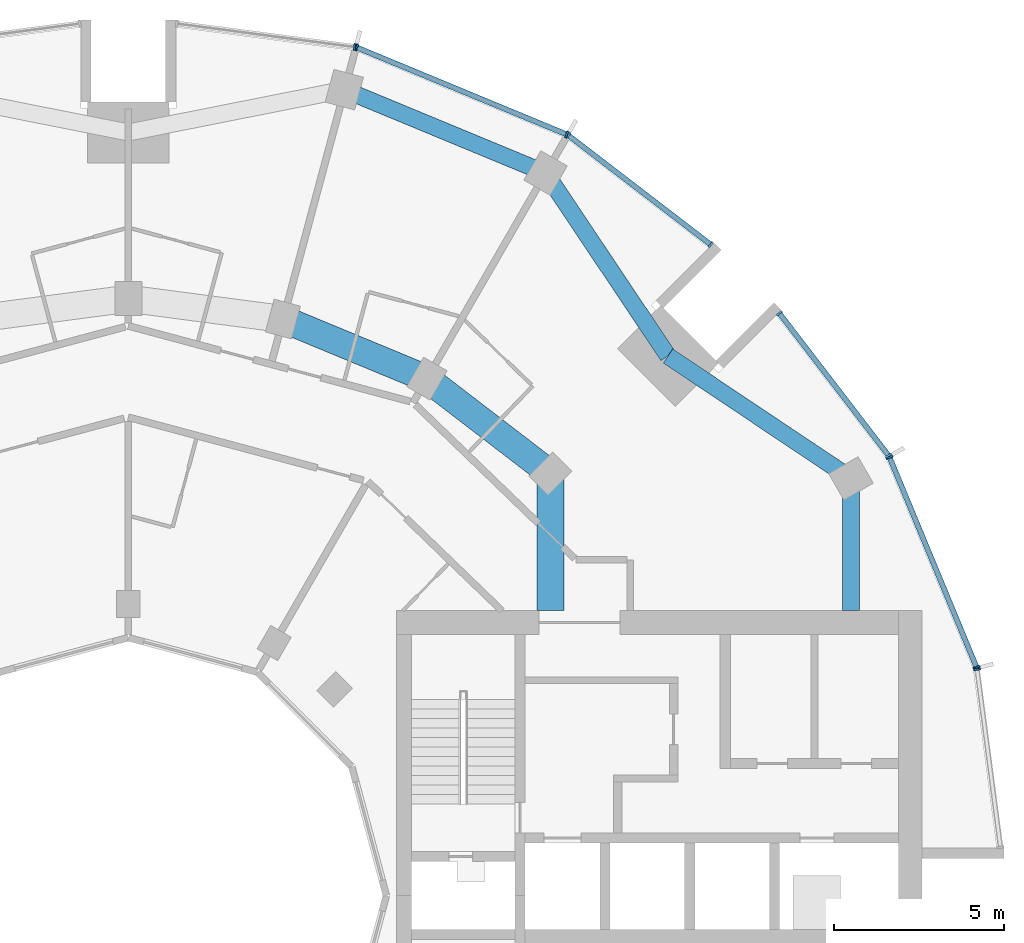
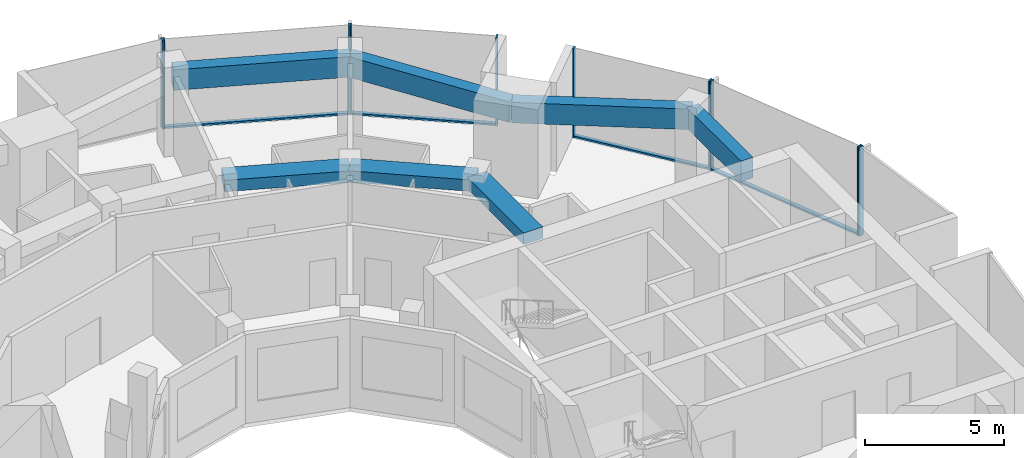
# One storey, part 6 of 15: 14 members, 7 beams, 6 elements without a shape of their own.
"""IFC4 building model written with IfcOpenShell, lengths in metres."""

import ifcopenshell
import ifcopenshell.guid

model = None  # the IFC model being written
_history = None  # IfcOwnerHistory: only IFC2X3 demands one
_inside = {}  # id of a spatial element -> (the spatial element, [elements in it])
_under = {}  # id of a project, library or spatial element -> (it, [spatial elements below it])
_declared = {}  # id of a project -> (the project, [libraries it declares])
_typed = {}  # id of a type object -> (the type object, [elements of that type])
_made_of = {}  # id of a material, layer set ... -> (it, [elements and type objects made of it])


def new_model(schema):
    """Start an empty IFC model of exactly this schema.

    Asked for "IFC4X3", IfcOpenShell would pick the latest addendum, in which some entities
    have other attributes; the version numbers below select the first issue.
    IFC2X3 requires an IfcOwnerHistory on every rooted entity: one is made here for all.
    """
    global model, _history
    if schema == "IFC4X3":
        model = ifcopenshell.file(schema_version=(4, 3, 0, 0))
    else:
        model = ifcopenshell.file(schema=schema)
    _inside.clear()
    _under.clear()
    _declared.clear()
    _typed.clear()
    _made_of.clear()
    _history = None
    if model.schema == "IFC2X3":
        org = make("IfcOrganization", Name="unknown")
        user = make(
            "IfcPersonAndOrganization",
            ThePerson=make("IfcPerson", FamilyName="unknown"),
            TheOrganization=org,
        )
        app = make(
            "IfcApplication",
            ApplicationDeveloper=org,
            Version="unknown",
            ApplicationFullName="unknown",
            ApplicationIdentifier="unknown",
        )
        _history = make(
            "IfcOwnerHistory",
            OwningUser=user,
            OwningApplication=app,
            ChangeAction="ADDED",
            CreationDate=0,
        )
    return model


def make(cls, **values):
    """One entity of the class cls with the attributes given. An attribute that is None is left unset."""
    return model.create_entity(
        cls, **{name: value for name, value in values.items() if value is not None}
    )


def rooted(cls, **values):
    """An entity with a GlobalId (a new one), such as an element, a storey or a relation."""
    return make(cls, GlobalId=ifcopenshell.guid.new(), OwnerHistory=_history, **values)


def si_unit(unit_type, name, prefix=None):
    """IfcSIUnit, for example si_unit("LENGTHUNIT", "METRE", prefix="MILLI")."""
    return make("IfcSIUnit", UnitType=unit_type, Prefix=prefix, Name=name)


def assignment(units):
    """IfcUnitAssignment: the units of a project."""
    return None if units is None else make("IfcUnitAssignment", Units=units)


def point(xyz):
    """IfcCartesianPoint."""
    return None if xyz is None else make("IfcCartesianPoint", Coordinates=xyz)


def direction(xyz):
    """IfcDirection."""
    return None if xyz is None else make("IfcDirection", DirectionRatios=xyz)


def frame(location, z_axis=None, x_axis=None):
    """IfcAxis2Placement3D, a coordinate frame: its origin and axes. An axis left out is left unset."""
    return make(
        "IfcAxis2Placement3D",
        Location=point(location),
        Axis=direction(z_axis),
        RefDirection=direction(x_axis),
    )


def frame_2d(location, x_axis=None):
    """IfcAxis2Placement2D, a coordinate frame in the plane: its origin and x axis."""
    return make(
        "IfcAxis2Placement2D", Location=point(location), RefDirection=direction(x_axis)
    )


def origin():
    """The frame at (0, 0, 0) with its axes left unset."""
    return frame((0.0, 0.0, 0.0))


def origin_2d():
    """The frame at (0, 0) in the plane with its x axis left unset."""
    return frame_2d((0.0, 0.0))


def place(relative_to, where):
    """IfcLocalPlacement: puts the frame where relative to a parent placement (None: the world)."""
    return make(
        "IfcLocalPlacement", PlacementRelTo=relative_to, RelativePlacement=where
    )


def context(
    kind, dimensions, precision=None, world=None, true_north=None, identifier=None
):
    """IfcGeometricRepresentationContext, for example the 3D "Model" context."""
    return make(
        "IfcGeometricRepresentationContext",
        ContextIdentifier=identifier,
        ContextType=kind,
        CoordinateSpaceDimension=dimensions,
        Precision=precision,
        WorldCoordinateSystem=world,
        TrueNorth=true_north,
    )


def subcontext(parent, identifier, kind, view, scale=None):
    """IfcGeometricRepresentationSubContext, for example "Body" below "Model"."""
    return make(
        "IfcGeometricRepresentationSubContext",
        ContextIdentifier=identifier,
        ContextType=kind,
        ParentContext=parent,
        TargetScale=scale,
        TargetView=view,
    )


def project(units=None, contexts=None):
    """IfcProject with its units and contexts."""
    return rooted(
        "IfcProject",
        Name="project",
        RepresentationContexts=contexts,
        UnitsInContext=assignment(units),
    )


def spatial(cls, under=None, at=None, **own):
    """A site, building, storey or space (cls), placed at a placement, below another one or the project."""
    s = rooted(cls, ObjectPlacement=at, **own)
    if under is not None:
        _under.setdefault(under.id(), (under, []))[1].append(s)
    return s


def profile(cls, at=None, kind="AREA", **sizes):
    """A parametric profile (cls). Its sizes go by their IFC names, for example OverallWidth=200.0."""
    return make(cls, ProfileType=kind, Position=at, **sizes)


def rectangle(**sizes):
    """IfcRectangleProfileDef."""
    return profile("IfcRectangleProfileDef", **sizes)


def extrude(swept, where, along, depth):
    """IfcExtrudedAreaSolid: the profile swept, set in the frame where, extruded along a direction by depth."""
    return make(
        "IfcExtrudedAreaSolid",
        SweptArea=swept,
        Position=where,
        ExtrudedDirection=direction(along),
        Depth=depth,
    )


def shape(context_of_items, identifier, shape_type, items):
    """IfcShapeRepresentation: the items that make up one representation, for example the "Body"."""
    return make(
        "IfcShapeRepresentation",
        ContextOfItems=context_of_items,
        RepresentationIdentifier=identifier,
        RepresentationType=shape_type,
        Items=items,
    )


def material(Name=None, Category=None):
    """IfcMaterial."""
    return make("IfcMaterial", Name=Name, Category=Category)


def layer(
    of_material, thickness, ventilated=None, Name=None, Category=None, Priority=None
):
    """IfcMaterialLayer: one layer of a wall or slab, of a material (None: an air gap)."""
    return make(
        "IfcMaterialLayer",
        Material=of_material,
        LayerThickness=thickness,
        IsVentilated=ventilated,
        Name=Name,
        Category=Category,
        Priority=Priority,
    )


def layer_set(layers, Name=None):
    """IfcMaterialLayerSet."""
    return make("IfcMaterialLayerSet", MaterialLayers=layers, LayerSetName=Name)


def material_profile(
    of_material, cross_section, Name=None, Category=None, Priority=None
):
    """IfcMaterialProfile: a cross section and its material."""
    return make(
        "IfcMaterialProfile",
        Name=Name,
        Material=of_material,
        Profile=cross_section,
        Priority=Priority,
        Category=Category,
    )


def profile_set(profiles, Name=None, composite=None):
    """IfcMaterialProfileSet."""
    return make(
        "IfcMaterialProfileSet",
        Name=Name,
        MaterialProfiles=profiles,
        CompositeProfile=composite,
    )


def made_of(thing, what):
    """Note that an element or type object is made of a material, layer set ...; save() writes the relation."""
    if what is not None:
        _made_of.setdefault(what.id(), (what, []))[1].append(thing)
    return thing


def type_object(cls, material=None, **own):
    """A type object (cls), such as IfcWallType, which elements share."""
    return made_of(rooted(cls, **own), material)


def element(
    cls,
    number,
    at=None,
    inside=None,
    cuts=None,
    type_object=None,
    material=None,
    context=None,
    identifier="Body",
    shape_type=None,
    held_by="IfcProductDefinitionShape",
    body=None,
    shapes=None,
    **own,
):
    """One element of the class cls, such as IfcWall. Its Tag is "e" and its number.

    at: its placement. inside: the storey or other place that contains it. cuts: it is an
    opening in that element (IfcRelVoidsElement). A single representation is given by context,
    identifier, shape_type and body (its items); several are given by shapes. held_by: the class
    of the entity that holds the representations. save() writes the other relations.
    """
    e = rooted(cls, Tag="e%d" % number, ObjectPlacement=at, **own)
    if body is not None:
        shapes = [shape(context, identifier, shape_type, body)]
    if shapes is not None:
        e.Representation = make(held_by, Representations=shapes)
    if inside is not None:
        _inside.setdefault(inside.id(), (inside, []))[1].append(e)
    if cuts is not None:
        rooted(
            "IfcRelVoidsElement", RelatingBuildingElement=cuts, RelatedOpeningElement=e
        )
    if type_object is not None:
        _typed.setdefault(type_object.id(), (type_object, []))[1].append(e)
    return made_of(e, material)


def aggregate(whole, parts):
    """IfcRelAggregates: a whole, such as a stair, and the parts it consists of."""
    return rooted("IfcRelAggregates", RelatingObject=whole, RelatedObjects=parts)


def save(model, path):
    """Write the relations noted so far, then the file.

    IfcRelAggregates (storeys below a building ...), IfcRelContainedInSpatialStructure (elements
    in a storey), IfcRelDefinesByType, IfcRelAssociatesMaterial and IfcRelDeclares: one each for
    every whole, place, type object, material and project.
    """
    for whole, parts in _under.values():
        aggregate(whole, parts)
    for where, things in _inside.values():
        rooted(
            "IfcRelContainedInSpatialStructure",
            RelatedElements=things,
            RelatingStructure=where,
        )
    for kind, things in _typed.values():
        rooted("IfcRelDefinesByType", RelatedObjects=things, RelatingType=kind)
    for what, things in _made_of.values():
        rooted("IfcRelAssociatesMaterial", RelatedObjects=things, RelatingMaterial=what)
    for by, libraries in _declared.values():
        rooted("IfcRelDeclares", RelatingContext=by, RelatedDefinitions=libraries)
    model.write(path)


model = new_model("IFC4")

# Units and contexts
model_context = context("Model", 3, precision=1e-05, world=origin(), true_north=direction((0.0, 1.0)))
body_context = subcontext(model_context, "Body", "Model", "MODEL_VIEW")
ifc_project = project(units=[si_unit("LENGTHUNIT", "METRE"), si_unit("AREAUNIT", "SQUARE_METRE"), si_unit("VOLUMEUNIT", "CUBIC_METRE"), si_unit("PLANEANGLEUNIT", "RADIAN"), si_unit("MASSUNIT", "GRAM", prefix="KILO")], contexts=[model_context])

# Site, building, storey
site_placement = place(None, origin())
site = spatial("IfcSite", under=ifc_project, at=site_placement, CompositionType="ELEMENT")
building_placement = place(site_placement, origin())
building = spatial("IfcBuilding", under=site, at=building_placement, Name="Torre Brocal", CompositionType="ELEMENT")
storey_placement = place(building_placement, frame((0.0, 0.0, 118.5)))
storey = spatial("IfcBuildingStorey", under=building, at=storey_placement, Name="L27", CompositionType="ELEMENT", Elevation=118.5)

# Curtain wall, members
ifc_material_1 = material(Name="Aluminium and glass", Category="aluminium")
ifc_layer_1 = layer(ifc_material_1, 0.199951171875)
ifc_layer_set_1 = layer_set([ifc_layer_1], Name="Aluminium and glass")
curtain_wall_type_1 = type_object("IfcCurtainWallType", Name="CW-1 CURTAIN WALL 3900 HIGH", PredefinedType="NOTDEFINED", material=ifc_layer_set_1)
curtain_wall_1_placement = place(storey_placement, origin())
curtain_wall_1 = element("IfcCurtainWall", 1, at=curtain_wall_1_placement, inside=storey, type_object=curtain_wall_type_1, Name="CW-1 RUN 2", PredefinedType="NOTDEFINED")
ifc_material_2 = material(Name="Aluminium, dark anodised", Category="aluminium")
ifc_material_profile_1 = material_profile(ifc_material_2, rectangle(XDim=0.199951171875, YDim=0.06005859375, at=origin_2d()), Name="CW-1 MULLION 60X200")
ifc_profile_set_1 = profile_set([ifc_material_profile_1], Name="Aluminium, dark anodised")
member_type_1 = type_object("IfcMemberType", Name="CW-1 MULLION 60X200", PredefinedType="MULLION", material=ifc_profile_set_1)
member_1_placement = place(storey_placement, frame((105.005126953125, 81.73095703125, 0.0), z_axis=(0.0, 0.0, 1.0), x_axis=(-0.923879532525, -0.382683432333, 0.0)))
member_1 = element("IfcMember", 2, at=member_1_placement, type_object=member_type_1, Name="CW1-3 mullion 1", PredefinedType="MULLION", context=body_context, shape_type="SweptSolid", body=[
    extrude(rectangle(XDim=0.199951171875, YDim=0.06005859375, at=origin_2d()), origin(), (0.0, 0.0, 1.0), 3.89990234375),
])
member_2_placement = place(storey_placement, frame((102.440673828125, 87.921875, 0.0), z_axis=(0.0, 0.0, 1.0), x_axis=(-0.923879532525, -0.382683432333, 0.0)))
member_2 = element("IfcMember", 3, at=member_2_placement, type_object=member_type_1, Name="CW1-3 mullion 2", PredefinedType="MULLION", context=body_context, shape_type="SweptSolid", body=[
    extrude(rectangle(XDim=0.199951171875, YDim=0.06005859375, at=origin_2d()), origin(), (0.0, 0.0, 1.0), 3.89990234375),
])

curtain_wall_2_placement = place(storey_placement, origin())
curtain_wall_2 = element("IfcCurtainWall", 4, at=curtain_wall_2_placement, inside=storey, type_object=curtain_wall_type_1, Name="CW-1 RUN 3", PredefinedType="NOTDEFINED")
member_3_placement = place(storey_placement, frame((102.4111328125, 87.973388671875, 0.0), z_axis=(0.0, 0.0, 1.0), x_axis=(-0.793353340259, -0.60876142905, 0.0)))
member_3 = element("IfcMember", 5, at=member_3_placement, type_object=member_type_1, Name="CW1-3 mullion 1", PredefinedType="MULLION", context=body_context, shape_type="SweptSolid", body=[
    extrude(rectangle(XDim=0.199951171875, YDim=0.06005859375, at=origin_2d()), origin(), (0.0, 0.0, 1.0), 3.89990234375),
])
member_4_placement = place(storey_placement, frame((99.19140625, 92.16943359375, 0.0), z_axis=(0.0, 0.0, 1.0), x_axis=(-0.793353340259, -0.60876142905, 0.0)))
member_4 = element("IfcMember", 6, at=member_4_placement, type_object=member_type_1, Name="CW1-3 mullion 2", PredefinedType="MULLION", context=body_context, shape_type="SweptSolid", body=[
    extrude(rectangle(XDim=0.199951171875, YDim=0.06005859375, at=origin_2d()), origin(), (0.0, 0.0, 1.0), 3.89990234375),
])

curtain_wall_3_placement = place(storey_placement, origin())
curtain_wall_3 = element("IfcCurtainWall", 7, at=curtain_wall_3_placement, inside=storey, type_object=curtain_wall_type_1, Name="CW-1 RUN 4", PredefinedType="NOTDEFINED")
member_5_placement = place(storey_placement, frame((97.16943359375, 94.19140625, 0.0), z_axis=(0.0, 0.0, 1.0), x_axis=(-0.60876142905, -0.793353340259, 0.0)))
member_5 = element("IfcMember", 8, at=member_5_placement, type_object=member_type_1, Name="CW1-3 mullion 1", PredefinedType="MULLION", context=body_context, shape_type="SweptSolid", body=[
    extrude(rectangle(XDim=0.199951171875, YDim=0.06005859375, at=origin_2d()), origin(), (0.0, 0.0, 1.0), 3.89990234375),
])
member_6_placement = place(storey_placement, frame((92.973388671875, 97.4111328125, 0.0), z_axis=(0.0, 0.0, 1.0), x_axis=(-0.60876142905, -0.793353340259, 0.0)))
member_6 = element("IfcMember", 9, at=member_6_placement, type_object=member_type_1, Name="CW1-3 mullion 2", PredefinedType="MULLION", context=body_context, shape_type="SweptSolid", body=[
    extrude(rectangle(XDim=0.199951171875, YDim=0.06005859375, at=origin_2d()), origin(), (0.0, 0.0, 1.0), 3.89990234375),
])

curtain_wall_4_placement = place(storey_placement, origin())
curtain_wall_4 = element("IfcCurtainWall", 10, at=curtain_wall_4_placement, inside=storey, type_object=curtain_wall_type_1, Name="CW-1 RUN 5", PredefinedType="NOTDEFINED")
member_7_placement = place(storey_placement, frame((92.921875, 97.440673828125, 0.0), z_axis=(0.0, 0.0, 1.0), x_axis=(-0.382683432333, -0.923879532525, 0.0)))
member_7 = element("IfcMember", 11, at=member_7_placement, type_object=member_type_1, Name="CW1-3 mullion 1", PredefinedType="MULLION", context=body_context, shape_type="SweptSolid", body=[
    extrude(rectangle(XDim=0.199951171875, YDim=0.06005859375, at=origin_2d()), origin(), (0.0, 0.0, 1.0), 3.89990234375),
])
member_8_placement = place(storey_placement, frame((86.73095703125, 100.005126953125, 0.0), z_axis=(0.0, 0.0, 1.0), x_axis=(-0.382683432333, -0.923879532525, 0.0)))
member_8 = element("IfcMember", 12, at=member_8_placement, type_object=member_type_1, Name="CW1-3 mullion 2", PredefinedType="MULLION", context=body_context, shape_type="SweptSolid", body=[
    extrude(rectangle(XDim=0.199951171875, YDim=0.06005859375, at=origin_2d()), origin(), (0.0, 0.0, 1.0), 3.89990234375),
])

# Curtain wall, member
curtain_wall_5_placement = place(storey_placement, origin())
curtain_wall_5 = element("IfcCurtainWall", 13, at=curtain_wall_5_placement, inside=storey, type_object=curtain_wall_type_1, Name="CW-1 RUN 6", PredefinedType="NOTDEFINED")
member_9_placement = place(storey_placement, frame((86.67333984375, 100.0205078125, 0.0), z_axis=(0.0, 0.0, 1.0), x_axis=(-0.13052619222, -0.991444861374, 0.0)))
member_9 = element("IfcMember", 14, at=member_9_placement, type_object=member_type_1, Name="CW1-3 mullion 1", PredefinedType="MULLION", context=body_context, shape_type="SweptSolid", body=[
    extrude(rectangle(XDim=0.199951171875, YDim=0.06005859375, at=origin_2d()), origin(), (0.0, 0.0, 1.0), 3.89990234375),
])
aggregate(curtain_wall_5, [member_9])

# Member
ifc_material_3 = material(Name="Aluminium, dark anodised", Category="aluminium")
ifc_material_profile_2 = material_profile(ifc_material_3, rectangle(XDim=0.159912109375, YDim=0.080078125, at=origin_2d()), Name="CW-1 TRANSOM 160X80")
ifc_profile_set_2 = profile_set([ifc_material_profile_2], Name="Aluminium, dark anodised")
member_type_2 = type_object("IfcMemberType", Name="CW-1 TRANSOM 160X80", PredefinedType="USERDEFINED", material=ifc_profile_set_2)
member_10_placement = place(storey_placement, frame((104.99365234375, 81.758544921875, 0.0400390625), z_axis=(-0.38266457234, 0.923887344364, 0.0), x_axis=(-0.923887344364, -0.38266457234, 0.0)))
member_10 = element("IfcMember", 15, at=member_10_placement, type_object=member_type_2, Name="CW1-3 transom 1.1", ObjectType="TRANSOM", PredefinedType="USERDEFINED", context=body_context, shape_type="SweptSolid", body=[
    extrude(rectangle(XDim=0.159912109375, YDim=0.080078125, at=origin_2d()), origin(), (0.0, 0.0, 1.0), 6.640869140625),
])

aggregate(curtain_wall_1, [member_1, member_2, member_10])

member_11_placement = place(storey_placement, frame((102.392822265625, 87.9970703125, 0.0400390625), z_axis=(-0.60874908096, 0.79336281513, 0.0), x_axis=(-0.79336281513, -0.60874908096, 0.0)))
member_11 = element("IfcMember", 16, at=member_11_placement, type_object=member_type_2, Name="CW1-3 transom 1.1", ObjectType="TRANSOM", PredefinedType="USERDEFINED", context=body_context, shape_type="SweptSolid", body=[
    extrude(rectangle(XDim=0.159912109375, YDim=0.080078125, at=origin_2d()), origin(), (0.0, 0.0, 1.0), 5.22900390625),
])

aggregate(curtain_wall_2, [member_3, member_4, member_11])

member_12_placement = place(storey_placement, frame((97.1455078125, 94.209716796875, 0.0400390625), z_axis=(-0.79336281513, 0.60874908096, 0.0), x_axis=(-0.60874908096, -0.79336281513, 0.0)))
member_12 = element("IfcMember", 17, at=member_12_placement, type_object=member_type_2, Name="CW1-3 transom 1.1", ObjectType="TRANSOM", PredefinedType="USERDEFINED", context=body_context, shape_type="SweptSolid", body=[
    extrude(rectangle(XDim=0.159912109375, YDim=0.080078125, at=origin_2d()), origin(), (0.0, 0.0, 1.0), 5.22900390625),
])

aggregate(curtain_wall_3, [member_5, member_6, member_12])

member_13_placement = place(storey_placement, frame((92.89404296875, 97.452392578125, 0.0400390625), z_axis=(-0.923887344364, 0.38266457234, 0.0), x_axis=(-0.38266457234, -0.923887344364, 0.0)))
member_13 = element("IfcMember", 18, at=member_13_placement, type_object=member_type_2, Name="CW1-3 transom 1.1", ObjectType="TRANSOM", PredefinedType="USERDEFINED", context=body_context, shape_type="SweptSolid", body=[
    extrude(rectangle(XDim=0.159912109375, YDim=0.080078125, at=origin_2d()), origin(), (0.0, 0.0, 1.0), 6.640869140625),
])

aggregate(curtain_wall_4, [member_7, member_8, member_13])

# Curtain wall, member
ifc_material_4 = material(Name="Aluminium and glass", Category="aluminium")
ifc_layer_2 = layer(ifc_material_4, 0.199951171875)
ifc_layer_set_2 = layer_set([ifc_layer_2], Name="Aluminium and glass")
curtain_wall_type_2 = type_object("IfcCurtainWallType", Name="CW-1B CURTAIN WALL 3900 HIGH", PredefinedType="NOTDEFINED", material=ifc_layer_set_2)
curtain_wall_6_placement = place(storey_placement, origin())
curtain_wall_6 = element("IfcCurtainWall", 19, at=curtain_wall_6_placement, inside=storey, type_object=curtain_wall_type_2, Name="CW-1B RUN 1", PredefinedType="NOTDEFINED")
ifc_material_5 = material(Name="Aluminium, dark anodised", Category="aluminium")
ifc_material_profile_3 = material_profile(ifc_material_5, rectangle(XDim=0.199951171875, YDim=0.06005859375, at=origin_2d()), Name="CW-1B MULLION 60X200")
ifc_profile_set_3 = profile_set([ifc_material_profile_3], Name="Aluminium, dark anodised")
member_type_3 = type_object("IfcMemberType", Name="CW-1B MULLION 60X200", PredefinedType="MULLION", material=ifc_profile_set_3)
member_14_placement = place(storey_placement, frame((105.0205078125, 81.67333984375, 0.0), z_axis=(0.0, 0.0, 1.0), x_axis=(-0.991444861374, -0.13052619222, 0.0)))
member_14 = element("IfcMember", 20, at=member_14_placement, type_object=member_type_3, Name="CW1B-3 mullion 2", PredefinedType="MULLION", context=body_context, shape_type="SweptSolid", body=[
    extrude(rectangle(XDim=0.199951171875, YDim=0.06005859375, at=origin_2d()), origin(), (0.0, 0.0, 1.0), 3.89990234375),
])
aggregate(curtain_wall_6, [member_14])

# Beams
ifc_material_6 = material(Name="Concrete C50", Category="concrete")
ifc_material_profile_4 = material_profile(ifc_material_6, rectangle(XDim=0.800048828125, YDim=0.5, at=origin_2d()), Name="RC 800X500")
ifc_profile_set_4 = profile_set([ifc_material_profile_4], Name="Concrete C50")
beam_type_1 = type_object("IfcBeamType", Name="RC BEAM 800X500 C50 TOP 3580", PredefinedType="BEAM", material=ifc_profile_set_4)
beam_1_placement = place(storey_placement, frame((92.445068359375, 87.445068359375, 3.330078125), z_axis=(-0.793358265959, 0.6087550097, 0.0), x_axis=(-0.6087550097, -0.793358265959, 0.0)))
element("IfcBeam", 21, at=beam_1_placement, inside=storey, type_object=beam_type_1, Name="Beam BT-28", PredefinedType="BEAM", context=body_context, shape_type="SweptSolid", body=[
    extrude(rectangle(XDim=0.800048828125, YDim=0.5, at=origin_2d()), origin(), (0.0, 0.0, 1.0), 4.594482421875),
])
beam_2_placement = place(storey_placement, frame((88.800048828125, 90.241943359375, 3.330078125), z_axis=(-0.923878240166, 0.382686552348, 0.0), x_axis=(-0.382686552348, -0.923878240166, 0.0)))
element("IfcBeam", 22, at=beam_2_placement, inside=storey, type_object=beam_type_1, Name="Beam BT-28", PredefinedType="BEAM", context=body_context, shape_type="SweptSolid", body=[
    extrude(rectangle(XDim=0.800048828125, YDim=0.5, at=origin_2d()), origin(), (0.0, 0.0, 1.0), 4.5947265625),
])
beam_3_placement = place(storey_placement, frame((92.445068359375, 87.445068359375, 3.330078125), z_axis=(0.0, -1.0, 0.0), x_axis=(1.0, 0.0, 0.0)))
element("IfcBeam", 23, at=beam_3_placement, inside=storey, type_object=beam_type_1, Name="Beam BT-28", PredefinedType="BEAM", context=body_context, shape_type="SweptSolid", body=[
    extrude(rectangle(XDim=0.800048828125, YDim=0.5, at=origin_2d()), origin(), (0.0, 0.0, 1.0), 4.045166015625),
])
ifc_material_7 = material(Name="Concrete C50", Category="concrete")
ifc_material_profile_5 = material_profile(ifc_material_7, rectangle(XDim=0.5, YDim=0.89990234375, at=origin_2d()), Name="RC 500X900")
ifc_profile_set_5 = profile_set([ifc_material_profile_5], Name="Concrete C50")
beam_type_2 = type_object("IfcBeamType", Name="RC SPANDREL BEAM 500X900 C50 TOP 3580", PredefinedType="SPANDREL", material=ifc_profile_set_5)
for number, where, z_axis, x_axis, name in (
    (24, (101.30419921875, 87.300048828125, 3.1298828125), (-0.831076844476, 0.556157602282, 0.0), (-0.556157602282, -0.831076844476, 0.0), "Beam BT-29"),
    (25, (95.909912109375, 90.909912109375, 3.1298828125), (-0.556157602282, 0.831076844476, 0.0), (-0.831076844476, -0.556157602282, 0.0), "Beam BT-29"),
):
    element("IfcBeam", number, at=place(storey_placement, frame(where, z_axis=z_axis, x_axis=x_axis)), inside=storey, type_object=beam_type_2, Name=name, PredefinedType="SPANDREL", context=body_context, shape_type="SweptSolid", body=[
        extrude(rectangle(XDim=0.5, YDim=0.89990234375, at=origin_2d()), origin(), (0.0, 0.0, 1.0), 6.49072265625),
    ])
beam_4_placement = place(storey_placement, frame((92.300048828125, 96.30419921875, 3.1298828125), z_axis=(-0.923882462513, 0.382676358639, 0.0), x_axis=(-0.382676358639, -0.923882462513, 0.0)))
element("IfcBeam", 26, at=beam_4_placement, inside=storey, type_object=beam_type_2, Name="Beam BT-29", PredefinedType="SPANDREL", context=body_context, shape_type="SweptSolid", body=[
    extrude(rectangle(XDim=0.5, YDim=0.89990234375, at=origin_2d()), origin(), (0.0, 0.0, 1.0), 6.421875),
])
beam_5_placement = place(storey_placement, frame((101.30419921875, 87.300048828125, 3.1298828125), z_axis=(0.0, -1.0, 0.0), x_axis=(1.0, 0.0, 0.0)))
element("IfcBeam", 27, at=beam_5_placement, inside=storey, type_object=beam_type_2, Name="Beam BT-29", PredefinedType="SPANDREL", context=body_context, shape_type="SweptSolid", body=[
    extrude(rectangle(XDim=0.5, YDim=0.89990234375, at=origin_2d()), origin(), (0.0, 0.0, 1.0), 3.900146484375),
])

save(model, "model.ifc")
